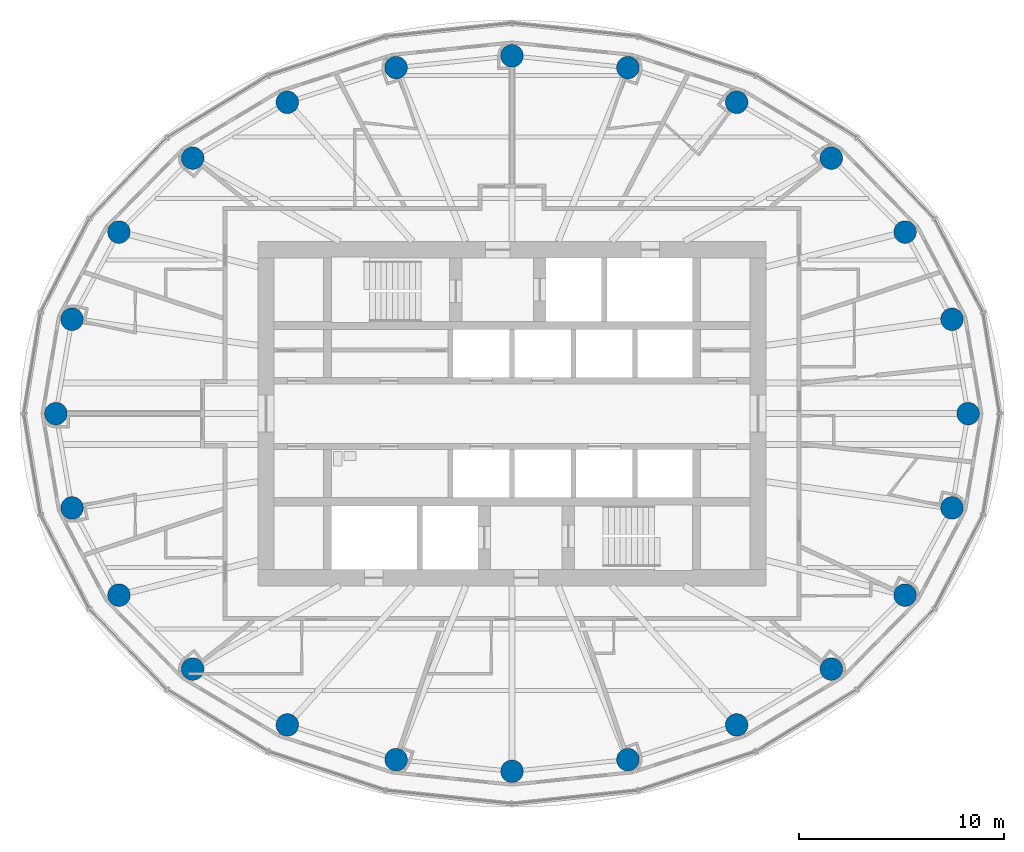
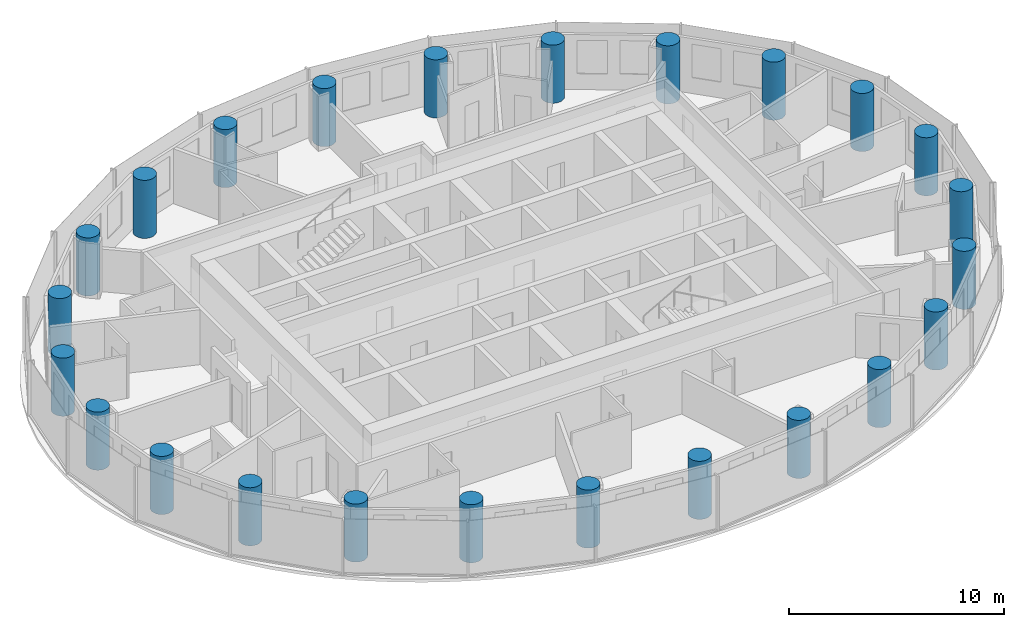
# One storey, part 1 of 16: 24 columns.
"""IFC4 building model written with IfcOpenShell, lengths in metres."""

from ifc_helpers import new_model, si_unit, direction, frame, origin, origin_2d, place, context, subcontext, project, spatial, circle, extrude, material, material_profile, profile_set, type_object, element, save


model = new_model("IFC4")

# Units and contexts
model_context = context("Model", 3, precision=1e-05, world=origin(), true_north=direction((0.0, 1.0)))
body_context = subcontext(model_context, "Body", "Model", "MODEL_VIEW")
ifc_project = project(units=[si_unit("LENGTHUNIT", "METRE"), si_unit("AREAUNIT", "SQUARE_METRE"), si_unit("VOLUMEUNIT", "CUBIC_METRE"), si_unit("PLANEANGLEUNIT", "RADIAN"), si_unit("MASSUNIT", "GRAM", prefix="KILO")], contexts=[model_context])

# Site, building, storey
site_placement = place(None, origin())
site = spatial("IfcSite", under=ifc_project, at=site_placement, CompositionType="ELEMENT")
building_placement = place(site_placement, origin())
building = spatial("IfcBuilding", under=site, at=building_placement, Name="Hankou Lantern Tower", CompositionType="ELEMENT")
storey_placement = place(building_placement, frame((0.0, 0.0, 169.800048828125)))
storey = spatial("IfcBuildingStorey", under=building, at=storey_placement, Name="L45", CompositionType="ELEMENT", Elevation=169.800048828125)

# Columns
ifc_material = material(Name="Concrete C50", Category="concrete")
ifc_material_profile = material_profile(ifc_material, circle(Radius=0.550048828125, at=origin_2d()), Name="RC D1100")
ifc_profile_set = profile_set([ifc_material_profile], Name="Concrete C50")
column_type = type_object("IfcColumnType", Name="TC4 PERIMETER COLUMN RC D1100", PredefinedType="COLUMN", material=ifc_profile_set)
for number, where, z_axis, x_axis, name in (
    (1, (22.25, 0.0, 0.0), (0.0, 0.0, 1.0), (1.0, 0.0, 0.0), "Column R01 L45"),
    (2, (21.462646484375, 4.600830078125, 0.0), (0.0, 0.0, 1.0), (1.0, 0.0, 0.0), "Column R02 L45"),
    (3, (19.172119140625, 8.855224609375, 0.0), (0.0, 0.0, 1.0), (1.0, 0.0, 0.0), "Column R03 L45"),
    (4, (15.576171875, 12.4609375, 0.0), (0.0, 0.0, 1.0), (1.0, 0.0, 0.0), "Column R04 L45"),
    (5, (10.959716796875, 15.186279296875, 0.0), (0.0, 0.0, 1.0), (1.0, 0.0, 0.0), "Column R05 L45"),
    (6, (5.65283203125, 16.87744140625, 0.0), (0.0, 0.0, 1.0), (1.0, 0.0, 0.0), "Column R06 L45"),
    (7, (0.0, 17.449951171875, 0.0), (0.0, 0.0, 1.0), (1.0, 0.0, 0.0), "Column R07 L45"),
    (8, (-5.65283203125, 16.87744140625, 0.0), (0.0, 0.0, 1.0), (1.0, 0.0, 0.0), "Column R08 L45"),
    (9, (-10.959716796875, 15.186279296875, 0.0), (0.0, 0.0, 1.0), (1.0, 0.0, 0.0), "Column R09 L45"),
    (10, (-15.576171875, 12.4609375, 0.0), (0.0, 0.0, 1.0), (1.0, 0.0, 0.0), "Column R10 L45"),
    (11, (-19.172119140625, 8.855224609375, 0.0), (0.0, 0.0, 1.0), (1.0, 0.0, 0.0), "Column R11 L45"),
    (12, (-21.462646484375, 4.600830078125, 0.0), (0.0, 0.0, 1.0), (1.0, 0.0, 0.0), "Column R12 L45"),
    (13, (-22.25, 0.0, 0.0), (0.0, 0.0, 1.0), (1.0, 0.0, 0.0), "Column R13 L45"),
    (14, (-21.462646484375, -4.600830078125, 0.0), (0.0, 0.0, 1.0), (1.0, 0.0, 0.0), "Column R14 L45"),
    (15, (-19.172119140625, -8.855224609375, 0.0), (0.0, 0.0, 1.0), (1.0, 0.0, 0.0), "Column R15 L45"),
    (16, (-15.576171875, -12.4609375, 0.0), (0.0, 0.0, 1.0), (1.0, 0.0, 0.0), "Column R16 L45"),
    (17, (-10.959716796875, -15.186279296875, 0.0), (0.0, 0.0, 1.0), (1.0, 0.0, 0.0), "Column R17 L45"),
    (18, (-5.65283203125, -16.87744140625, 0.0), (0.0, 0.0, 1.0), (1.0, 0.0, 0.0), "Column R18 L45"),
    (19, (0.0, -17.449951171875, 0.0), (0.0, 0.0, 1.0), (1.0, 0.0, 0.0), "Column R19 L45"),
    (20, (5.65283203125, -16.87744140625, 0.0), (0.0, 0.0, 1.0), (1.0, 0.0, 0.0), "Column R20 L45"),
    (21, (10.959716796875, -15.186279296875, 0.0), (0.0, 0.0, 1.0), (1.0, 0.0, 0.0), "Column R21 L45"),
    (22, (15.576171875, -12.4609375, 0.0), (0.0, 0.0, 1.0), (1.0, 0.0, 0.0), "Column R22 L45"),
    (23, (19.172119140625, -8.855224609375, 0.0), (0.0, 0.0, 1.0), (1.0, 0.0, 0.0), "Column R23 L45"),
    (24, (21.462646484375, -4.600830078125, 0.0), (0.0, 0.0, 1.0), (1.0, 0.0, 0.0), "Column R24 L45"),
):
    element("IfcColumn", number, at=place(storey_placement, frame(where, z_axis=z_axis, x_axis=x_axis)), inside=storey, type_object=column_type, Name=name, PredefinedType="COLUMN", context=body_context, shape_type="SweptSolid", body=[
        extrude(circle(Radius=0.550048828125, at=origin_2d()), origin(), (0.0, 0.0, 1.0), 3.300048828125),
    ])

save(model, "model.ifc")
